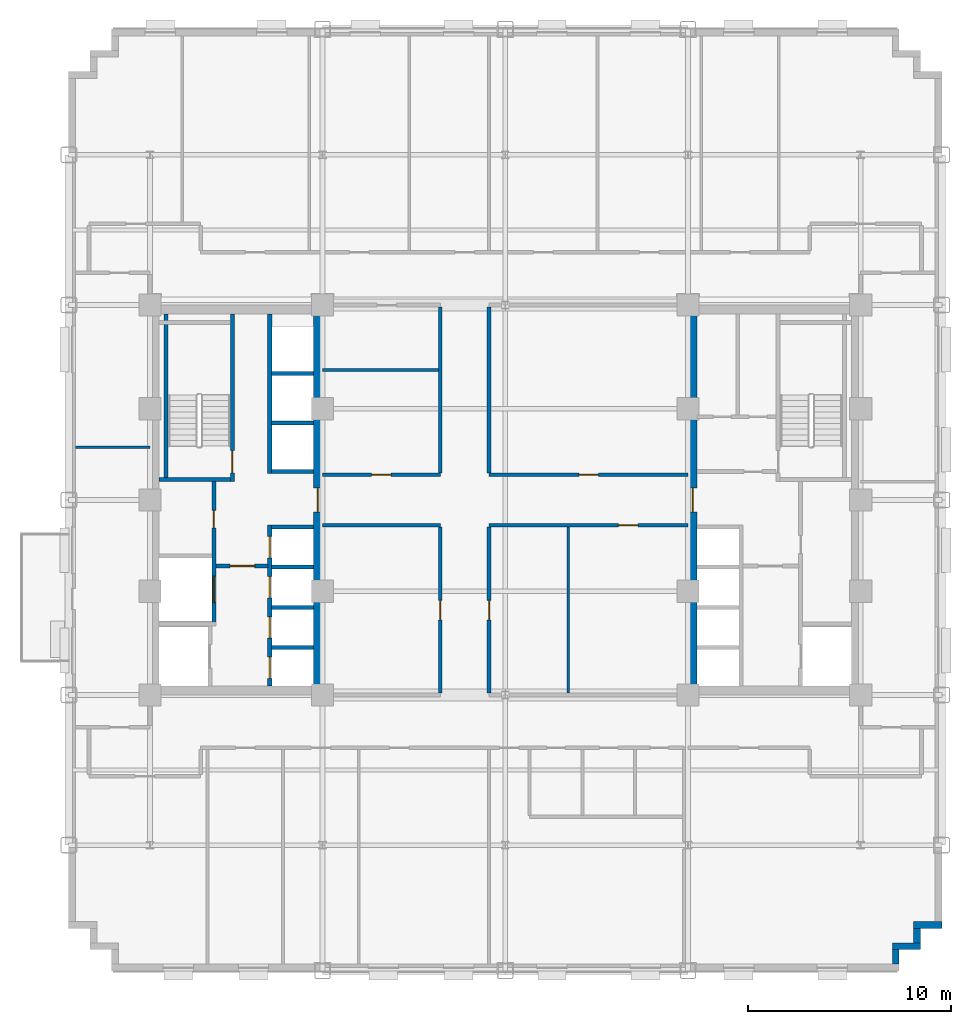
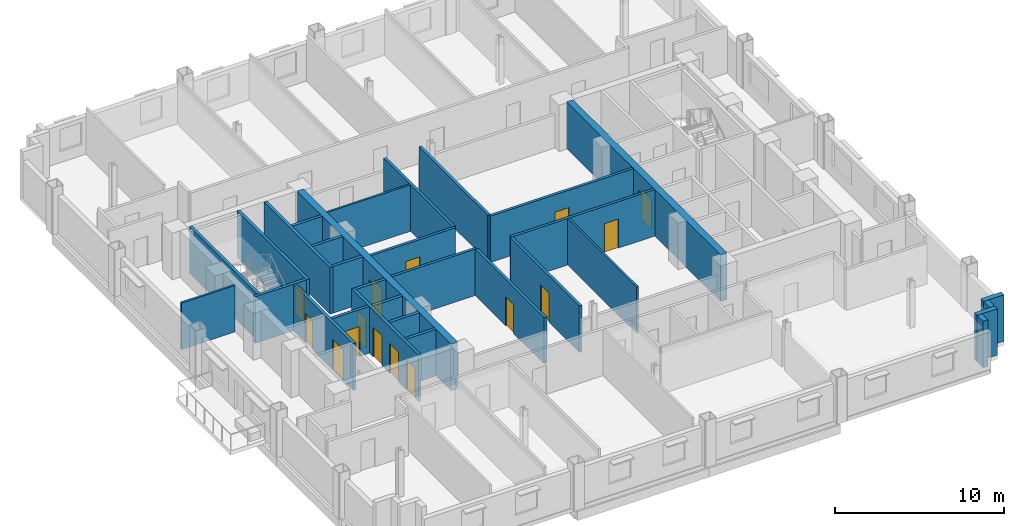
# One storey, part 7 of 14: 31 walls, 15 doors, 15 openings.
"""IFC4 building model written with IfcOpenShell, lengths in metres."""

from ifc_helpers import new_model, si_unit, direction, frame, frame_2d, origin, place, context, subcontext, project, spatial, rectangle, extrude, source, transform, mapped, material, layer, layer_set, type_object, type_shapes, element, fill, save


model = new_model("IFC4")

# Units and contexts
model_context = context("Model", 3, precision=1e-05, world=origin(), true_north=direction((0.0, 1.0)))
body_context = subcontext(model_context, "Body", "Model", "MODEL_VIEW")
ifc_project = project(units=[si_unit("LENGTHUNIT", "METRE"), si_unit("AREAUNIT", "SQUARE_METRE"), si_unit("VOLUMEUNIT", "CUBIC_METRE"), si_unit("PLANEANGLEUNIT", "RADIAN"), si_unit("MASSUNIT", "GRAM", prefix="KILO")], contexts=[model_context])

# Site, building, storey
site_placement = place(None, origin())
site = spatial("IfcSite", under=ifc_project, at=site_placement, CompositionType="ELEMENT")
building_placement = place(site_placement, origin())
building = spatial("IfcBuilding", under=site, at=building_placement, Name="Nuvemarco Arch Tower", CompositionType="ELEMENT")
storey_placement = place(building_placement, frame((0.0, 0.0, 64.10009765625)))
storey = spatial("IfcBuildingStorey", under=building, at=storey_placement, Name="L16", CompositionType="ELEMENT", Elevation=64.10009765625)

# Walls
ifc_material_1 = material(Name="Precast concrete C45/55", Category="concrete")
ifc_layer_1 = layer(ifc_material_1, 0.340087890625, Name="EW-LOW-340")
ifc_layer_set_1 = layer_set([ifc_layer_1], Name="Precast concrete C45/55")
wall_type_1 = type_object("IfcWallType", Name="EW-LOW-340", PredefinedType="STANDARD", material=ifc_layer_set_1)
wall_1_placement = place(storey_placement, frame((19.22998046875, -22.864013671875, 0.0), z_axis=(0.0, 0.0, 1.0), x_axis=(0.0, 1.0, 0.0)))
element("IfcWall", 1, at=wall_1_placement, inside=storey, type_object=wall_type_1, Name="L16 exterior precast facade wall 2", PredefinedType="STANDARD", context=body_context, shape_type="SweptSolid", body=[
    extrude(rectangle(XDim=0.718017578125, YDim=0.340087890625, at=frame_2d((0.35888671875, 0.0))), origin(), (0.0, 0.0, 1.0), 3.35986328125),
])
wall_2_placement = place(storey_placement, frame((19.06005859375, -21.97998046875, 0.0), z_axis=(0.0, 0.0, 1.0), x_axis=(1.0, 0.0, 0.0)))
element("IfcWall", 2, at=wall_2_placement, inside=storey, type_object=wall_type_1, Name="L16 exterior precast facade wall 3", PredefinedType="STANDARD", context=body_context, shape_type="SweptSolid", body=[
    extrude(rectangle(XDim=1.389892578125, YDim=0.340087890625, at=frame_2d((0.69482421875, 0.0))), origin(), (0.0, 0.0, 1.0), 3.35986328125),
])
wall_3_placement = place(storey_placement, frame((20.280029296875, -21.81396484375, 0.0), z_axis=(0.0, 0.0, 1.0), x_axis=(0.0, 1.0, 0.0)))
element("IfcWall", 3, at=wall_3_placement, inside=storey, type_object=wall_type_1, Name="L16 exterior precast facade wall 4", PredefinedType="STANDARD", context=body_context, shape_type="SweptSolid", body=[
    extrude(rectangle(XDim=0.718017578125, YDim=0.340087890625, at=frame_2d((0.35888671875, 0.0))), origin(), (0.0, 0.0, 1.0), 3.35986328125),
])
wall_4_placement = place(storey_placement, frame((20.110107421875, -20.929931640625, 0.0), z_axis=(0.0, 0.0, 1.0), x_axis=(1.0, 0.0, 0.0)))
element("IfcWall", 4, at=wall_4_placement, inside=storey, type_object=wall_type_1, Name="L16 exterior precast facade wall 5", PredefinedType="STANDARD", context=body_context, shape_type="SweptSolid", body=[
    extrude(rectangle(XDim=1.389892578125, YDim=0.340087890625, at=frame_2d((0.69482421875, 0.0))), origin(), (0.0, 0.0, 1.0), 3.35986328125),
])

# Wall, opening, door
ifc_material_2 = material(Name="Concrete C60/75", Category="concrete")
ifc_layer_2 = layer(ifc_material_2, 0.449951171875, Name="WL-CORE-450")
ifc_layer_set_2 = layer_set([ifc_layer_2], Name="Concrete C60/75")
wall_type_2 = type_object("IfcWallType", Name="WL-CORE-450", PredefinedType="SHEAR", material=ifc_layer_set_2)
wall_5_placement = place(storey_placement, frame((-9.22509765625, -9.155029296875, 0.0), z_axis=(0.0, 0.0, 1.0), x_axis=(0.0, 1.0, 0.0)))
wall_5 = element("IfcWall", 5, at=wall_5_placement, inside=storey, type_object=wall_type_2, Name="L16 W-core shear wall E", PredefinedType="SHEAR", context=body_context, shape_type="SweptSolid", body=[
    extrude(rectangle(XDim=18.31005859375, YDim=0.449951171875, at=frame_2d((9.155029296875, 0.0))), origin(), (0.0, 0.0, 1.0), 3.369873046875),
])
opening_1_placement = place(wall_5_placement, frame((8.554931640625, 0.0, 0.0)))
opening_1 = element("IfcOpeningElement", 6, at=opening_1_placement, cuts=wall_5, Name="Opening FD-2", PredefinedType="OPENING", context=body_context, shape_type="SweptSolid", body=[
    extrude(rectangle(XDim=1.199951171875, YDim=2.14990234375, at=frame_2d((0.60009765625, 1.074951171875))), frame((0.0, 0.23486328125, 0.0), z_axis=(0.0, -1.0, 0.0), x_axis=(1.0, 0.0, 0.0)), (0.0, 0.0, 1.0), 0.469970703125),
])
ifc_material_3 = material(Name="Anodised steel fire door", Category="steel")
door_type_1 = type_object("IfcDoorType", Name="DR-FFLOB-FD", OperationType="NOTDEFINED", PredefinedType="DOOR", material=ifc_material_3)
shared_shape_1 = source(origin(), body_context, "Body", "SweptSolid", [
    extrude(rectangle(XDim=1.199951171875, YDim=2.14990234375, at=frame_2d((0.60009765625, 1.074951171875))), frame((0.0, 0.02490234375, 0.0), z_axis=(0.0, -1.0, 0.0), x_axis=(1.0, 0.0, 0.0)), (0.0, 0.0, 1.0), 0.050048828125),
])
type_shapes(door_type_1, [shared_shape_1])
door_1_placement = place(opening_1_placement, origin())
door_1 = element("IfcDoor", 7, at=door_1_placement, inside=storey, type_object=door_type_1, Name="L16 door FD-L16-WCORE-E", OperationType="SINGLE_SWING_LEFT", OverallHeight=2.14990234375, OverallWidth=1.199951171875, PredefinedType="DOOR", context=body_context, shape_type="MappedRepresentation", body=[
    mapped(shared_shape_1, transform((0.0, 0.0, 0.0), scale=1.0)),
])
fill(opening_1, door_1)

wall_6_placement = place(storey_placement, frame((9.22509765625, -9.155029296875, 0.0), z_axis=(0.0, 0.0, 1.0), x_axis=(0.0, 1.0, 0.0)))
wall_6 = element("IfcWall", 8, at=wall_6_placement, inside=storey, type_object=wall_type_2, Name="L16 E-core shear wall W", PredefinedType="SHEAR", context=body_context, shape_type="SweptSolid", body=[
    extrude(rectangle(XDim=18.31005859375, YDim=0.449951171875, at=frame_2d((9.155029296875, 0.0))), origin(), (0.0, 0.0, 1.0), 3.369873046875),
])
opening_2_placement = place(wall_6_placement, frame((8.554931640625, 0.0, 0.0)))
opening_2 = element("IfcOpeningElement", 9, at=opening_2_placement, cuts=wall_6, Name="Opening FD-2", PredefinedType="OPENING", context=body_context, shape_type="SweptSolid", body=[
    extrude(rectangle(XDim=1.199951171875, YDim=2.14990234375, at=frame_2d((0.60009765625, 1.074951171875))), frame((0.0, 0.23486328125, 0.0), z_axis=(0.0, -1.0, 0.0), x_axis=(1.0, 0.0, 0.0)), (0.0, 0.0, 1.0), 0.469970703125),
])
door_2_placement = place(opening_2_placement, origin())
door_2 = element("IfcDoor", 10, at=door_2_placement, inside=storey, type_object=door_type_1, Name="L16 door FD-L16-ECORE-W", OperationType="SINGLE_SWING_RIGHT", OverallHeight=2.14990234375, OverallWidth=1.199951171875, PredefinedType="DOOR", context=body_context, shape_type="MappedRepresentation", body=[
    mapped(shared_shape_1, transform((0.0, 0.0, 0.0), scale=1.0)),
])
fill(opening_2, door_2)

# Wall
ifc_material_4 = material(Name="Fire-rated gypsum drywall partition")
ifc_layer_3 = layer(ifc_material_4, 0.179931640625, Name="WL-CORR-180")
ifc_layer_set_3 = layer_set([ifc_layer_3], Name="Fire-rated gypsum drywall partition")
wall_type_3 = type_object("IfcWallType", Name="WL-CORR-180", PredefinedType="PARTITIONING", material=ifc_layer_set_3)
wall_7_placement = place(storey_placement, frame((-9.0, -1.25, 0.0), z_axis=(0.0, 0.0, 1.0), x_axis=(1.0, 0.0, 0.0)))
element("IfcWall", 11, at=wall_7_placement, inside=storey, type_object=wall_type_3, Name="L16 interior wall IW-L16-011", PredefinedType="PARTITIONING", context=body_context, shape_type="SweptSolid", body=[
    extrude(rectangle(XDim=5.800048828125, YDim=0.179931640625, at=frame_2d((2.89990234375, 0.0))), origin(), (0.0, 0.0, 1.0), 3.35986328125),
])

# Wall, opening, door
wall_8_placement = place(storey_placement, frame((-0.800048828125, -1.25, 0.0), z_axis=(0.0, 0.0, 1.0), x_axis=(1.0, 0.0, 0.0)))
wall_8 = element("IfcWall", 12, at=wall_8_placement, inside=storey, type_object=wall_type_3, Name="L16 interior wall IW-L16-012", PredefinedType="PARTITIONING", context=body_context, shape_type="SweptSolid", body=[
    extrude(rectangle(XDim=9.800048828125, YDim=0.179931640625, at=frame_2d((4.89990234375, 0.0))), origin(), (0.0, 0.0, 1.0), 3.35986328125),
])
opening_3_placement = place(wall_8_placement, frame((6.3701171875, 0.0, 0.0)))
opening_3 = element("IfcOpeningElement", 13, at=opening_3_placement, cuts=wall_8, Name="Opening FD-5", PredefinedType="OPENING", context=body_context, shape_type="SweptSolid", body=[
    extrude(rectangle(XDim=0.9599609375, YDim=2.10009765625, at=frame_2d((0.47998046875, 1.050048828125))), frame((0.0, 0.099853515625, 0.0), z_axis=(0.0, -1.0, 0.0), x_axis=(1.0, 0.0, 0.0)), (0.0, 0.0, 1.0), 0.199951171875),
])
ifc_material_5 = material(Name="Timber fire door", Category="wood")
door_type_2 = type_object("IfcDoorType", Name="DR-CORR-FD", OperationType="NOTDEFINED", PredefinedType="DOOR", material=ifc_material_5)
shared_shape_2 = source(origin(), body_context, "Body", "SweptSolid", [
    extrude(rectangle(XDim=0.9599609375, YDim=2.10009765625, at=frame_2d((0.47998046875, 1.050048828125))), frame((0.0, 0.02490234375, 0.0), z_axis=(0.0, -1.0, 0.0), x_axis=(1.0, 0.0, 0.0)), (0.0, 0.0, 1.0), 0.050048828125),
])
type_shapes(door_type_2, [shared_shape_2])
door_3_placement = place(opening_3_placement, origin())
door_3 = element("IfcDoor", 14, at=door_3_placement, inside=storey, type_object=door_type_2, Name="L16 door DR-L16-C_SE2", OperationType="SINGLE_SWING_RIGHT", OverallHeight=2.10009765625, OverallWidth=0.9599609375, PredefinedType="DOOR", context=body_context, shape_type="MappedRepresentation", body=[
    mapped(shared_shape_2, transform((0.0, 0.0, 0.0), scale=1.0)),
])
fill(opening_3, door_3)

wall_9_placement = place(storey_placement, frame((-9.0, 1.25, 0.0), z_axis=(0.0, 0.0, 1.0), x_axis=(1.0, 0.0, 0.0)))
wall_9 = element("IfcWall", 15, at=wall_9_placement, inside=storey, type_object=wall_type_3, Name="L16 interior wall IW-L16-014", PredefinedType="PARTITIONING", context=body_context, shape_type="SweptSolid", body=[
    extrude(rectangle(XDim=5.800048828125, YDim=0.179931640625, at=frame_2d((2.89990234375, 0.0))), origin(), (0.0, 0.0, 1.0), 3.35986328125),
])
opening_4_placement = place(wall_9_placement, frame((2.419921875, 0.0, 0.0)))
opening_4 = element("IfcOpeningElement", 16, at=opening_4_placement, cuts=wall_9, Name="Opening FD-5", PredefinedType="OPENING", context=body_context, shape_type="SweptSolid", body=[
    extrude(rectangle(XDim=0.9599609375, YDim=2.10009765625, at=frame_2d((0.47998046875, 1.050048828125))), frame((0.0, 0.099853515625, 0.0), z_axis=(0.0, -1.0, 0.0), x_axis=(1.0, 0.0, 0.0)), (0.0, 0.0, 1.0), 0.199951171875),
])
door_4_placement = place(opening_4_placement, origin())
door_4 = element("IfcDoor", 17, at=door_4_placement, inside=storey, type_object=door_type_2, Name="L16 door DR-L16-C_NW1", OperationType="SINGLE_SWING_LEFT", OverallHeight=2.10009765625, OverallWidth=0.9599609375, PredefinedType="DOOR", context=body_context, shape_type="MappedRepresentation", body=[
    mapped(shared_shape_2, transform((0.0, 0.0, 0.0), scale=1.0)),
])
fill(opening_4, door_4)

wall_10_placement = place(storey_placement, frame((-0.800048828125, 1.25, 0.0), z_axis=(0.0, 0.0, 1.0), x_axis=(1.0, 0.0, 0.0)))
wall_10 = element("IfcWall", 18, at=wall_10_placement, inside=storey, type_object=wall_type_3, Name="L16 interior wall IW-L16-015", PredefinedType="PARTITIONING", context=body_context, shape_type="SweptSolid", body=[
    extrude(rectangle(XDim=9.800048828125, YDim=0.179931640625, at=frame_2d((4.89990234375, 0.0))), origin(), (0.0, 0.0, 1.0), 3.35986328125),
])
opening_5_placement = place(wall_10_placement, frame((4.419921875, 0.0, 0.0)))
opening_5 = element("IfcOpeningElement", 19, at=opening_5_placement, cuts=wall_10, Name="Opening FD-5", PredefinedType="OPENING", context=body_context, shape_type="SweptSolid", body=[
    extrude(rectangle(XDim=0.9599609375, YDim=2.10009765625, at=frame_2d((0.47998046875, 1.050048828125))), frame((0.0, 0.099853515625, 0.0), z_axis=(0.0, -1.0, 0.0), x_axis=(1.0, 0.0, 0.0)), (0.0, 0.0, 1.0), 0.199951171875),
])
door_5_placement = place(opening_5_placement, origin())
door_5 = element("IfcDoor", 20, at=door_5_placement, inside=storey, type_object=door_type_2, Name="L16 door DR-L16-C_NE", OperationType="SINGLE_SWING_RIGHT", OverallHeight=2.10009765625, OverallWidth=0.9599609375, PredefinedType="DOOR", context=body_context, shape_type="MappedRepresentation", body=[
    mapped(shared_shape_2, transform((0.0, 0.0, 0.0), scale=1.0)),
])
fill(opening_5, door_5)

wall_11_placement = place(storey_placement, frame((-3.199951171875, -9.513916015625, 0.0), z_axis=(0.0, 0.0, 1.0), x_axis=(0.0, 1.0, 0.0)))
wall_11 = element("IfcWall", 21, at=wall_11_placement, inside=storey, type_object=wall_type_3, Name="L16 interior wall IW-L16-038", PredefinedType="PARTITIONING", context=body_context, shape_type="SweptSolid", body=[
    extrude(rectangle(XDim=8.177978515625, YDim=0.179931640625, at=frame_2d((4.0888671875, 0.0))), origin(), (0.0, 0.0, 1.0), 3.35986328125),
])
opening_6_placement = place(wall_11_placement, frame((3.60888671875, 0.0, 0.0)))
opening_6 = element("IfcOpeningElement", 22, at=opening_6_placement, cuts=wall_11, Name="Opening FD-5", PredefinedType="OPENING", context=body_context, shape_type="SweptSolid", body=[
    extrude(rectangle(XDim=0.9599609375, YDim=2.10009765625, at=frame_2d((0.47998046875, 1.050048828125))), frame((0.0, 0.099853515625, 0.0), z_axis=(0.0, -1.0, 0.0), x_axis=(1.0, 0.0, 0.0)), (0.0, 0.0, 1.0), 0.199951171875),
])
door_6_placement = place(opening_6_placement, origin())
door_6 = element("IfcDoor", 23, at=door_6_placement, inside=storey, type_object=door_type_2, Name="L16 door DR-L16-C_SW", OperationType="SINGLE_SWING_LEFT", OverallHeight=2.10009765625, OverallWidth=0.9599609375, PredefinedType="DOOR", context=body_context, shape_type="MappedRepresentation", body=[
    mapped(shared_shape_2, transform((0.0, 0.0, 0.0), scale=1.0)),
])
fill(opening_6, door_6)

# Wall
wall_12_placement = place(storey_placement, frame((-3.199951171875, 1.3359375, 0.0), z_axis=(0.0, 0.0, 1.0), x_axis=(0.0, 1.0, 0.0)))
element("IfcWall", 24, at=wall_12_placement, inside=storey, type_object=wall_type_3, Name="L16 interior wall IW-L16-039", PredefinedType="PARTITIONING", context=body_context, shape_type="SweptSolid", body=[
    extrude(rectangle(XDim=8.177978515625, YDim=0.179931640625, at=frame_2d((4.0888671875, 0.0))), origin(), (0.0, 0.0, 1.0), 3.35986328125),
])

# Wall, opening, door
wall_13_placement = place(storey_placement, frame((-0.800048828125, -9.513916015625, 0.0), z_axis=(0.0, 0.0, 1.0), x_axis=(0.0, 1.0, 0.0)))
wall_13 = element("IfcWall", 25, at=wall_13_placement, inside=storey, type_object=wall_type_3, Name="L16 interior wall IW-L16-041", PredefinedType="PARTITIONING", context=body_context, shape_type="SweptSolid", body=[
    extrude(rectangle(XDim=8.177978515625, YDim=0.179931640625, at=frame_2d((4.0888671875, 0.0))), origin(), (0.0, 0.0, 1.0), 3.35986328125),
])
opening_7_placement = place(wall_13_placement, frame((3.60888671875, 0.0, 0.0)))
opening_7 = element("IfcOpeningElement", 26, at=opening_7_placement, cuts=wall_13, Name="Opening FD-5", PredefinedType="OPENING", context=body_context, shape_type="SweptSolid", body=[
    extrude(rectangle(XDim=0.9599609375, YDim=2.10009765625, at=frame_2d((0.47998046875, 1.050048828125))), frame((0.0, 0.099853515625, 0.0), z_axis=(0.0, -1.0, 0.0), x_axis=(1.0, 0.0, 0.0)), (0.0, 0.0, 1.0), 0.199951171875),
])
door_7_placement = place(opening_7_placement, origin())
door_7 = element("IfcDoor", 27, at=door_7_placement, inside=storey, type_object=door_type_2, Name="L16 door DR-L16-C_SE1", OperationType="SINGLE_SWING_RIGHT", OverallHeight=2.10009765625, OverallWidth=0.9599609375, PredefinedType="DOOR", context=body_context, shape_type="MappedRepresentation", body=[
    mapped(shared_shape_2, transform((0.0, 0.0, 0.0), scale=1.0)),
])
fill(opening_7, door_7)

# Walls
wall_14_placement = place(storey_placement, frame((-0.800048828125, 1.3359375, 0.0), z_axis=(0.0, 0.0, 1.0), x_axis=(0.0, 1.0, 0.0)))
element("IfcWall", 28, at=wall_14_placement, inside=storey, type_object=wall_type_3, Name="L16 interior wall IW-L16-042", PredefinedType="PARTITIONING", context=body_context, shape_type="SweptSolid", body=[
    extrude(rectangle(XDim=8.177978515625, YDim=0.179931640625, at=frame_2d((4.0888671875, 0.0))), origin(), (0.0, 0.0, 1.0), 3.35986328125),
])
ifc_material_6 = material(Name="Glazed acoustic office partition")
ifc_layer_4 = layer(ifc_material_6, 0.1298828125, Name="WL-EXEC-130")
ifc_layer_set_4 = layer_set([ifc_layer_4], Name="Glazed acoustic office partition")
wall_type_4 = type_object("IfcWallType", Name="WL-EXEC-130", PredefinedType="PARTITIONING", material=ifc_layer_set_4)
wall_15_placement = place(storey_placement, frame((3.10009765625, -9.513916015625, 0.0), z_axis=(0.0, 0.0, 1.0), x_axis=(0.0, 1.0, 0.0)))
element("IfcWall", 29, at=wall_15_placement, inside=storey, type_object=wall_type_4, Name="L16 interior wall IW-L16-045", PredefinedType="PARTITIONING", context=body_context, shape_type="SweptSolid", body=[
    extrude(rectangle(XDim=8.177978515625, YDim=0.1298828125, at=frame_2d((4.0888671875, 0.0))), origin(), (0.0, 0.0, 1.0), 3.35986328125),
])
ifc_material_7 = material(Name="Gypsum plasterboard partition")
ifc_layer_5 = layer(ifc_material_7, 0.139892578125, Name="WL-ROOM-140")
ifc_layer_set_5 = layer_set([ifc_layer_5], Name="Gypsum plasterboard partition")
wall_type_5 = type_object("IfcWallType", Name="WL-ROOM-140", PredefinedType="PARTITIONING", material=ifc_layer_set_5)
wall_16_placement = place(storey_placement, frame((-21.159912109375, 2.60009765625, 0.0), z_axis=(0.0, 0.0, 1.0), x_axis=(1.0, 0.0, 0.0)))
element("IfcWall", 30, at=wall_16_placement, inside=storey, type_object=wall_type_5, Name="L16 interior wall IW-L16-016", PredefinedType="PARTITIONING", context=body_context, shape_type="SweptSolid", body=[
    extrude(rectangle(XDim=3.659912109375, YDim=0.139892578125, at=frame_2d((1.830078125, 0.0))), origin(), (0.0, 0.0, 1.0), 3.35986328125),
])
wall_17_placement = place(storey_placement, frame((-9.0, 6.39990234375, 0.0), z_axis=(0.0, 0.0, 1.0), x_axis=(1.0, 0.0, 0.0)))
element("IfcWall", 31, at=wall_17_placement, inside=storey, type_object=wall_type_5, Name="L16 interior wall IW-L16-017", PredefinedType="PARTITIONING", context=body_context, shape_type="SweptSolid", body=[
    extrude(rectangle(XDim=5.714111328125, YDim=0.139892578125, at=frame_2d((2.85693359375, 0.0))), origin(), (0.0, 0.0, 1.0), 3.35986328125),
])

# Wall, opening, door
ifc_material_8 = material(Name="Concrete C50/60", Category="concrete")
ifc_layer_6 = layer(ifc_material_8, 0.199951171875, Name="WL-SHAFT-220")
ifc_layer_set_6 = layer_set([ifc_layer_6], Name="Concrete C50/60")
wall_type_6 = type_object("IfcWallType", Name="WL-SHAFT-220", PredefinedType="SHEAR", material=ifc_layer_set_6)
wall_18_placement = place(storey_placement, frame((-13.43994140625, 0.89990234375, 0.0), z_axis=(0.0, 0.0, 1.0), x_axis=(0.0, 1.0, 0.0)))
wall_18 = element("IfcWall", 32, at=wall_18_placement, inside=storey, type_object=wall_type_6, Name="L16 structural shaft wall SW-L16-W-ST1E", PredefinedType="SHEAR", context=body_context, shape_type="SweptSolid", body=[
    extrude(rectangle(XDim=8.255126953125, YDim=0.199951171875, at=frame_2d((4.12744140625, 0.0))), origin(), (0.0, 0.0, 1.0), 3.369873046875),
])
opening_8_placement = place(wall_18_placement, frame((1.530029296875, 0.0, 0.0), z_axis=(0.0, 0.0, 1.0), x_axis=(-1.0, 0.0, 0.0)))
opening_8 = element("IfcOpeningElement", 33, at=opening_8_placement, cuts=wall_18, Name="Opening FD-1", PredefinedType="OPENING", context=body_context, shape_type="SweptSolid", body=[
    extrude(rectangle(XDim=1.10009765625, YDim=2.14990234375, at=frame_2d((0.550048828125, 1.074951171875))), frame((0.0, 0.10986328125, 0.0), z_axis=(0.0, -1.0, 0.0), x_axis=(1.0, 0.0, 0.0)), (0.0, 0.0, 1.0), 0.219970703125),
])
door_type_3 = type_object("IfcDoorType", Name="DR-STAIR-FD", OperationType="NOTDEFINED", PredefinedType="DOOR", material=ifc_material_3)
shared_shape_3 = source(origin(), body_context, "Body", "SweptSolid", [
    extrude(rectangle(XDim=1.10009765625, YDim=2.14990234375, at=frame_2d((0.550048828125, 1.074951171875))), frame((0.0, 0.02490234375, 0.0), z_axis=(0.0, -1.0, 0.0), x_axis=(1.0, 0.0, 0.0)), (0.0, 0.0, 1.0), 0.050048828125),
])
type_shapes(door_type_3, [shared_shape_3])
door_8_placement = place(opening_8_placement, origin())
door_8 = element("IfcDoor", 34, at=door_8_placement, inside=storey, type_object=door_type_3, Name="L16 door FD-L16-ST1", OperationType="SINGLE_SWING_LEFT", OverallHeight=2.14990234375, OverallWidth=1.10009765625, PredefinedType="DOOR", context=body_context, shape_type="MappedRepresentation", body=[
    mapped(shared_shape_3, transform((0.0, 0.0, 0.0), scale=1.0)),
])
fill(opening_8, door_8)

# Walls
wall_19_placement = place(storey_placement, frame((-17.054931640625, 1.0, 0.0), z_axis=(0.0, 0.0, 1.0), x_axis=(1.0, 0.0, 0.0)))
element("IfcWall", 35, at=wall_19_placement, inside=storey, type_object=wall_type_6, Name="L16 structural shaft wall SW-L16-W-ST1S", PredefinedType="SHEAR", context=body_context, shape_type="SweptSolid", body=[
    extrude(rectangle(XDim=3.52001953125, YDim=0.199951171875, at=frame_2d((1.760009765625, 0.0))), origin(), (0.0, 0.0, 1.0), 3.369873046875),
])
wall_20_placement = place(storey_placement, frame((-16.699951171875, 1.094970703125, 0.0), z_axis=(0.0, 0.0, 1.0), x_axis=(0.0, 1.0, 0.0)))
element("IfcWall", 36, at=wall_20_placement, inside=storey, type_object=wall_type_6, Name="L16 structural shaft wall SW-L16-W-ST1W", PredefinedType="SHEAR", context=body_context, shape_type="SweptSolid", body=[
    extrude(rectangle(XDim=8.06005859375, YDim=0.199951171875, at=frame_2d((4.030029296875, 0.0))), origin(), (0.0, 0.0, 1.0), 3.369873046875),
])

# Wall, openings, doors
wall_21_placement = place(storey_placement, frame((-14.35009765625, -6.199951171875, 0.0), z_axis=(0.0, 0.0, 1.0), x_axis=(0.0, 1.0, 0.0)))
wall_21 = element("IfcWall", 37, at=wall_21_placement, inside=storey, type_object=wall_type_6, Name="L16 structural shaft wall SW-L16-W-SVE", PredefinedType="SHEAR", context=body_context, shape_type="SweptSolid", body=[
    extrude(rectangle(XDim=7.10498046875, YDim=0.199951171875, at=frame_2d((3.552490234375, 0.0))), origin(), (0.0, 0.0, 1.0), 3.369873046875),
])
opening_9_placement = place(wall_21_placement, frame((5.68994140625, 0.0, 0.0), z_axis=(0.0, 0.0, 1.0), x_axis=(-1.0, 0.0, 0.0)))
opening_9 = element("IfcOpeningElement", 38, at=opening_9_placement, cuts=wall_21, Name="Opening FD-4", PredefinedType="OPENING", context=body_context, shape_type="SweptSolid", body=[
    extrude(rectangle(XDim=0.8798828125, YDim=2.10009765625, at=frame_2d((0.43994140625, 1.050048828125))), frame((0.0, 0.10986328125, 0.0), z_axis=(0.0, -1.0, 0.0), x_axis=(1.0, 0.0, 0.0)), (0.0, 0.0, 1.0), 0.219970703125),
])
opening_10_placement = place(wall_21_placement, frame((1.14990234375, 0.0, 0.0)))
opening_10 = element("IfcOpeningElement", 39, at=opening_10_placement, cuts=wall_21, Name="Opening LD-3", PredefinedType="OPENING", context=body_context, shape_type="SweptSolid", body=[
    extrude(rectangle(XDim=1.300048828125, YDim=2.199951171875, at=frame_2d((0.64990234375, 1.10009765625))), frame((0.0, 0.10986328125, 0.0), z_axis=(0.0, -1.0, 0.0), x_axis=(1.0, 0.0, 0.0)), (0.0, 0.0, 1.0), 0.219970703125),
])
door_type_4 = type_object("IfcDoorType", Name="DR-RISER-FD", OperationType="NOTDEFINED", PredefinedType="DOOR", material=ifc_material_3)
shared_shape_4 = source(origin(), body_context, "Body", "SweptSolid", [
    extrude(rectangle(XDim=0.8798828125, YDim=2.10009765625, at=frame_2d((0.43994140625, 1.050048828125))), frame((0.0, 0.02490234375, 0.0), z_axis=(0.0, -1.0, 0.0), x_axis=(1.0, 0.0, 0.0)), (0.0, 0.0, 1.0), 0.050048828125),
])
type_shapes(door_type_4, [shared_shape_4])
door_9_placement = place(opening_9_placement, origin())
door_9 = element("IfcDoor", 40, at=door_9_placement, inside=storey, type_object=door_type_4, Name="L16 door FD-L16-WRIS", OperationType="SINGLE_SWING_LEFT", OverallHeight=2.10009765625, OverallWidth=0.8798828125, PredefinedType="DOOR", context=body_context, shape_type="MappedRepresentation", body=[
    mapped(shared_shape_4, transform((0.0, 0.0, 0.0), scale=1.0)),
])
fill(opening_9, door_9)
ifc_material_9 = material(Name="Stainless steel lift door", Category="steel")
door_type_5 = type_object("IfcDoorType", Name="DR-LIFT-SERV", OperationType="DOUBLE_DOOR_SLIDING", PredefinedType="DOOR", material=ifc_material_9)
shared_shape_5 = source(origin(), body_context, "Body", "SweptSolid", [
    extrude(rectangle(XDim=1.300048828125, YDim=2.199951171875, at=frame_2d((0.64990234375, 1.10009765625))), frame((0.0, 0.02490234375, 0.0), z_axis=(0.0, -1.0, 0.0), x_axis=(1.0, 0.0, 0.0)), (0.0, 0.0, 1.0), 0.050048828125),
])
type_shapes(door_type_5, [shared_shape_5])
door_10_placement = place(opening_10_placement, origin())
door_10 = element("IfcDoor", 41, at=door_10_placement, inside=storey, type_object=door_type_5, Name="L16 Lift landing sliding door SVL-1", OperationType="DOUBLE_DOOR_SLIDING", OverallHeight=2.199951171875, OverallWidth=1.300048828125, PredefinedType="DOOR", context=body_context, shape_type="MappedRepresentation", body=[
    mapped(shared_shape_5, transform((0.0, 0.0, 0.0), scale=1.0)),
])
fill(opening_10, door_10)

wall_22_placement = place(storey_placement, frame((-11.60009765625, -9.155029296875, 0.0), z_axis=(0.0, 0.0, 1.0), x_axis=(0.0, 1.0, 0.0)))
wall_22 = element("IfcWall", 42, at=wall_22_placement, inside=storey, type_object=wall_type_6, Name="L16 structural shaft wall SW-L16-W-PLW", PredefinedType="SHEAR", context=body_context, shape_type="SweptSolid", body=[
    extrude(rectangle(XDim=7.925048828125, YDim=0.199951171875, at=frame_2d((3.96240234375, 0.0))), origin(), (0.0, 0.0, 1.0), 3.369873046875),
])
opening_11_placement = place(wall_22_placement, frame((0.3701171875, 0.0, 0.0)))
opening_11 = element("IfcOpeningElement", 43, at=opening_11_placement, cuts=wall_22, Name="Opening LD-1", PredefinedType="OPENING", context=body_context, shape_type="SweptSolid", body=[
    extrude(rectangle(XDim=1.050048828125, YDim=2.14990234375, at=frame_2d((0.52490234375, 1.074951171875))), frame((0.0, 0.10986328125, 0.0), z_axis=(0.0, -1.0, 0.0), x_axis=(1.0, 0.0, 0.0)), (0.0, 0.0, 1.0), 0.219970703125),
])
opening_12_placement = place(wall_22_placement, frame((2.35009765625, 0.0, 0.0)))
opening_12 = element("IfcOpeningElement", 44, at=opening_12_placement, cuts=wall_22, Name="Opening LD-1", PredefinedType="OPENING", context=body_context, shape_type="SweptSolid", body=[
    extrude(rectangle(XDim=1.050048828125, YDim=2.14990234375, at=frame_2d((0.52490234375, 1.074951171875))), frame((0.0, 0.10986328125, 0.0), z_axis=(0.0, -1.0, 0.0), x_axis=(1.0, 0.0, 0.0)), (0.0, 0.0, 1.0), 0.219970703125),
])
opening_13_placement = place(wall_22_placement, frame((4.330078125, 0.0, 0.0)))
opening_13 = element("IfcOpeningElement", 45, at=opening_13_placement, cuts=wall_22, Name="Opening LD-1", PredefinedType="OPENING", context=body_context, shape_type="SweptSolid", body=[
    extrude(rectangle(XDim=1.050048828125, YDim=2.14990234375, at=frame_2d((0.52490234375, 1.074951171875))), frame((0.0, 0.10986328125, 0.0), z_axis=(0.0, -1.0, 0.0), x_axis=(1.0, 0.0, 0.0)), (0.0, 0.0, 1.0), 0.219970703125),
])
opening_14_placement = place(wall_22_placement, frame((6.31005859375, 0.0, 0.0)))
opening_14 = element("IfcOpeningElement", 46, at=opening_14_placement, cuts=wall_22, Name="Opening LD-1", PredefinedType="OPENING", context=body_context, shape_type="SweptSolid", body=[
    extrude(rectangle(XDim=1.050048828125, YDim=2.14990234375, at=frame_2d((0.52490234375, 1.074951171875))), frame((0.0, 0.10986328125, 0.0), z_axis=(0.0, -1.0, 0.0), x_axis=(1.0, 0.0, 0.0)), (0.0, 0.0, 1.0), 0.219970703125),
])
door_type_6 = type_object("IfcDoorType", Name="DR-LIFT-PASS", OperationType="DOUBLE_DOOR_SLIDING", PredefinedType="DOOR", material=ifc_material_9)
shared_shape_6 = source(origin(), body_context, "Body", "SweptSolid", [
    extrude(rectangle(XDim=1.050048828125, YDim=2.14990234375, at=frame_2d((0.52490234375, 1.074951171875))), frame((0.0, 0.02490234375, 0.0), z_axis=(0.0, -1.0, 0.0), x_axis=(1.0, 0.0, 0.0)), (0.0, 0.0, 1.0), 0.050048828125),
])
type_shapes(door_type_6, [shared_shape_6])
door_11_placement = place(opening_11_placement, origin())
door_11 = element("IfcDoor", 47, at=door_11_placement, inside=storey, type_object=door_type_6, Name="L16 Lift landing sliding door PL-1", OperationType="DOUBLE_DOOR_SLIDING", OverallHeight=2.14990234375, OverallWidth=1.050048828125, PredefinedType="DOOR", context=body_context, shape_type="MappedRepresentation", body=[
    mapped(shared_shape_6, transform((0.0, 0.0, 0.0), scale=1.0)),
])
fill(opening_11, door_11)
door_12_placement = place(opening_12_placement, origin())
door_12 = element("IfcDoor", 48, at=door_12_placement, inside=storey, type_object=door_type_6, Name="L16 Lift landing sliding door PL-2", OperationType="DOUBLE_DOOR_SLIDING", OverallHeight=2.14990234375, OverallWidth=1.050048828125, PredefinedType="DOOR", context=body_context, shape_type="MappedRepresentation", body=[
    mapped(shared_shape_6, transform((0.0, 0.0, 0.0), scale=1.0)),
])
fill(opening_12, door_12)
door_13_placement = place(opening_13_placement, origin())
door_13 = element("IfcDoor", 49, at=door_13_placement, inside=storey, type_object=door_type_6, Name="L16 Lift landing sliding door PL-3", OperationType="DOUBLE_DOOR_SLIDING", OverallHeight=2.14990234375, OverallWidth=1.050048828125, PredefinedType="DOOR", context=body_context, shape_type="MappedRepresentation", body=[
    mapped(shared_shape_6, transform((0.0, 0.0, 0.0), scale=1.0)),
])
fill(opening_13, door_13)
door_14_placement = place(opening_14_placement, origin())
door_14 = element("IfcDoor", 50, at=door_14_placement, inside=storey, type_object=door_type_6, Name="L16 Lift landing sliding door PL-4", OperationType="DOUBLE_DOOR_SLIDING", OverallHeight=2.14990234375, OverallWidth=1.050048828125, PredefinedType="DOOR", context=body_context, shape_type="MappedRepresentation", body=[
    mapped(shared_shape_6, transform((0.0, 0.0, 0.0), scale=1.0)),
])
fill(opening_14, door_14)

# Wall, opening, door
wall_23_placement = place(storey_placement, frame((-14.2548828125, -3.25, 0.0), z_axis=(0.0, 0.0, 1.0), x_axis=(1.0, 0.0, 0.0)))
wall_23 = element("IfcWall", 51, at=wall_23_placement, inside=storey, type_object=wall_type_6, Name="L16 structural shaft wall SW-L16-W-FFN", PredefinedType="SHEAR", context=body_context, shape_type="SweptSolid", body=[
    extrude(rectangle(XDim=2.559814453125, YDim=0.199951171875, at=frame_2d((1.27978515625, 0.0))), origin(), (0.0, 0.0, 1.0), 3.369873046875),
])
opening_15_placement = place(wall_23_placement, frame((0.705078125, 0.0, 0.0)))
opening_15 = element("IfcOpeningElement", 52, at=opening_15_placement, cuts=wall_23, Name="Opening FD-2", PredefinedType="OPENING", context=body_context, shape_type="SweptSolid", body=[
    extrude(rectangle(XDim=1.199951171875, YDim=2.14990234375, at=frame_2d((0.60009765625, 1.074951171875))), frame((0.0, 0.10986328125, 0.0), z_axis=(0.0, -1.0, 0.0), x_axis=(1.0, 0.0, 0.0)), (0.0, 0.0, 1.0), 0.219970703125),
])
door_15_placement = place(opening_15_placement, origin())
door_15 = element("IfcDoor", 53, at=door_15_placement, inside=storey, type_object=door_type_1, Name="L16 door FD-L16-WFF1", OperationType="SINGLE_SWING_LEFT", OverallHeight=2.14990234375, OverallWidth=1.199951171875, PredefinedType="DOOR", context=body_context, shape_type="MappedRepresentation", body=[
    mapped(shared_shape_1, transform((0.0, 0.0, 0.0), scale=1.0)),
])
fill(opening_15, door_15)

# Walls
for number, where, z_axis, x_axis, name in (
    (54, (-11.5048828125, -7.27001953125, 0.0), (0.0, 0.0, 1.0), (1.0, 0.0, 0.0), "L16 structural shaft wall SW-L16-W-PLD1"),
    (55, (-11.5048828125, -5.2900390625, 0.0), (0.0, 0.0, 1.0), (1.0, 0.0, 0.0), "L16 structural shaft wall SW-L16-W-PLD2"),
    (56, (-11.5048828125, -3.31005859375, 0.0), (0.0, 0.0, 1.0), (1.0, 0.0, 0.0), "L16 structural shaft wall SW-L16-W-PLD3"),
    (57, (-11.5048828125, -1.330078125, 0.0), (0.0, 0.0, 1.0), (1.0, 0.0, 0.0), "L16 structural shaft wall SW-L16-W-PLD4"),
):
    element("IfcWall", number, at=place(storey_placement, frame(where, z_axis=z_axis, x_axis=x_axis)), inside=storey, type_object=wall_type_6, Name=name, PredefinedType="SHEAR", context=body_context, shape_type="SweptSolid", body=[
        extrude(rectangle(XDim=2.059814453125, YDim=0.199951171875, at=frame_2d((1.02978515625, 0.0))), origin(), (0.0, 0.0, 1.0), 3.369873046875),
    ])
wall_24_placement = place(storey_placement, frame((-11.60009765625, 1.300048828125, 0.0), z_axis=(0.0, 0.0, 1.0), x_axis=(0.0, 1.0, 0.0)))
element("IfcWall", 58, at=wall_24_placement, inside=storey, type_object=wall_type_6, Name="L16 structural shaft wall SW-L16-W-PHW", PredefinedType="SHEAR", context=body_context, shape_type="SweptSolid", body=[
    extrude(rectangle(XDim=7.85498046875, YDim=0.199951171875, at=frame_2d((3.927490234375, 0.0))), origin(), (0.0, 0.0, 1.0), 3.369873046875),
])
for number, where, z_axis, x_axis, name in (
    (59, (-11.5048828125, 1.39990234375, 0.0), (0.0, 0.0, 1.0), (1.0, 0.0, 0.0), "L16 structural shaft wall SW-L16-W-PHD1"),
    (60, (-11.5048828125, 3.800048828125, 0.0), (0.0, 0.0, 1.0), (1.0, 0.0, 0.0), "L16 structural shaft wall SW-L16-W-PHD2"),
    (61, (-11.5048828125, 6.219970703125, 0.0), (0.0, 0.0, 1.0), (1.0, 0.0, 0.0), "L16 structural shaft wall SW-L16-W-PHD3"),
):
    element("IfcWall", number, at=place(storey_placement, frame(where, z_axis=z_axis, x_axis=x_axis)), inside=storey, type_object=wall_type_6, Name=name, PredefinedType="SHEAR", context=body_context, shape_type="SweptSolid", body=[
        extrude(rectangle(XDim=2.059814453125, YDim=0.199951171875, at=frame_2d((1.02978515625, 0.0))), origin(), (0.0, 0.0, 1.0), 3.369873046875),
    ])

save(model, "model.ifc")
